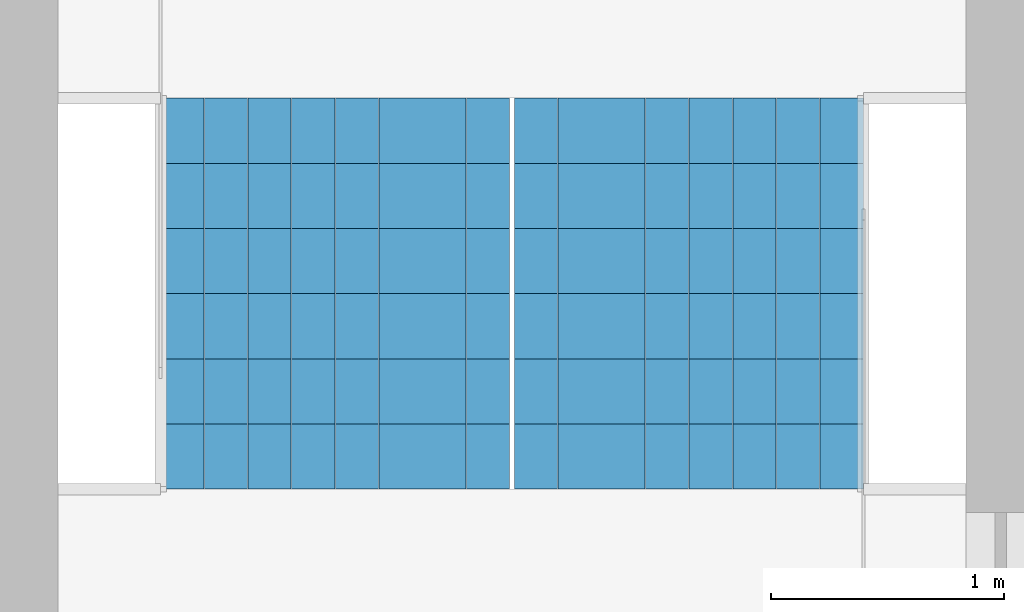
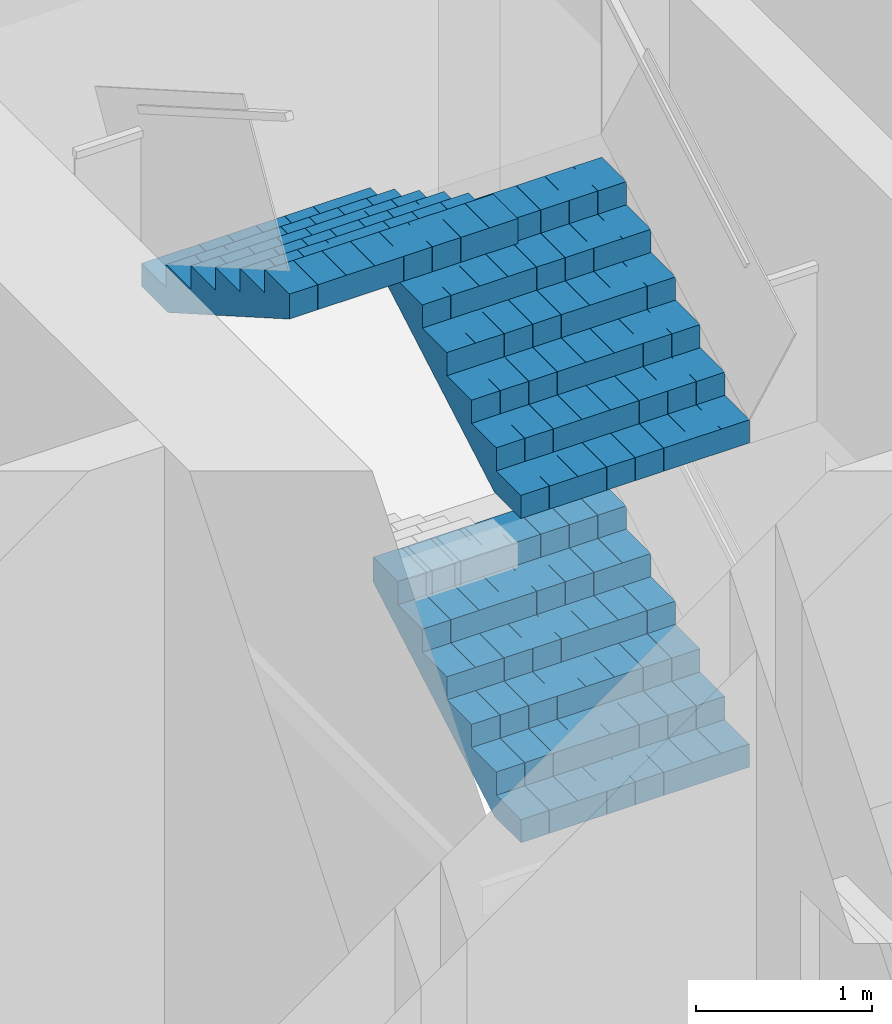
# One storey, part 21 of 23: 3 stair flights, 1 element without a shape of its own.
"""IFC4 building model written with IfcOpenShell, lengths in metres."""

from ifc_helpers import new_model, si_unit, direction, frame, origin, place, context, subcontext, project, spatial, polyline, outline, extrude, material, type_object, element, aggregate, save


model = new_model("IFC4")

# Units and contexts
model_context = context("Model", 3, precision=1e-05, world=origin(), true_north=direction((0.0, 1.0)))
body_context = subcontext(model_context, "Body", "Model", "MODEL_VIEW")
ifc_project = project(units=[si_unit("LENGTHUNIT", "METRE"), si_unit("AREAUNIT", "SQUARE_METRE"), si_unit("VOLUMEUNIT", "CUBIC_METRE"), si_unit("PLANEANGLEUNIT", "RADIAN"), si_unit("MASSUNIT", "GRAM", prefix="KILO")], contexts=[model_context])

# Site, building, storey
site_placement = place(None, origin())
site = spatial("IfcSite", under=ifc_project, at=site_placement, CompositionType="ELEMENT")
building_placement = place(site_placement, origin())
building = spatial("IfcBuilding", under=site, at=building_placement, Name="Kolab Exchange Tower", CompositionType="ELEMENT")
storey_placement = place(building_placement, frame((0.0, 0.0, 100.39990234375)))
storey = spatial("IfcBuildingStorey", under=building, at=storey_placement, Name="L19", CompositionType="ELEMENT", Elevation=100.39990234375)

# Stair, stair flights
ifc_material = material(Name="Concrete C50/60", Category="concrete")
stair_type = type_object("IfcStairType", Name="STAIR ST1 RISER 160.7", PredefinedType="DOUBLE_RETURN_STAIR", material=ifc_material)
stair_placement = place(storey_placement, origin())
stair = element("IfcStair", 1, at=stair_placement, inside=storey, type_object=stair_type, Name="Stair 1", PredefinedType="DOUBLE_RETURN_STAIR")
stair_flight_type = type_object("IfcStairFlightType", Name="STAIR FLIGHT 1500 RISER 160.7", PredefinedType="STRAIGHT", material=ifc_material)
stair_flight_1_placement = place(storey_placement, frame((-6.43994140625, 5.550048828125, 0.0), z_axis=(0.0, 0.0, 1.0), x_axis=(0.0, 1.0, 0.0)))
stair_flight_1 = element("IfcStairFlight", 2, at=stair_flight_1_placement, type_object=stair_flight_type, Name="ST1 flight 1", NumberOfRisers=7, NumberOfTreads=6, PredefinedType="STRAIGHT", RiserHeight=0.160714286, TreadLength=0.28, context=body_context, shape_type="SweptSolid", body=[
    extrude(outline(polyline([(0.0, 0.0), (0.0, 0.16064453125), (0.280029296875, 0.16064453125), (0.280029296875, 0.321533203125), (0.56005859375, 0.321533203125), (0.56005859375, 0.482177734375), (0.840087890625, 0.482177734375), (0.840087890625, 0.642822265625), (1.1201171875, 0.642822265625), (1.1201171875, 0.803466796875), (1.39990234375, 0.803466796875), (1.39990234375, 0.96435546875), (1.679931640625, 0.96435546875), (1.679931640625, 1.125), (1.679931640625, 0.79150390625), (0.301025390625, 0.0), (0.0, 0.0)])), frame((0.0, 0.75, 0.0), z_axis=(0.0, -1.0, 0.0), x_axis=(1.0, 0.0, 0.0)), (0.0, 0.0, 1.0), 0.185791015625),
    extrude(outline(polyline([(0.0, 0.0), (0.0, 0.16064453125), (0.280029296875, 0.16064453125), (0.280029296875, 0.321533203125), (0.56005859375, 0.321533203125), (0.56005859375, 0.482177734375), (0.840087890625, 0.482177734375), (0.840087890625, 0.642822265625), (1.1201171875, 0.642822265625), (1.1201171875, 0.803466796875), (1.39990234375, 0.803466796875), (1.39990234375, 0.96435546875), (1.679931640625, 0.96435546875), (1.679931640625, 1.125), (1.679931640625, 0.79150390625), (0.301025390625, 0.0), (0.0, 0.0)])), frame((0.0, 0.562255859375, 0.0), z_axis=(0.0, -1.0, 0.0), x_axis=(1.0, 0.0, 0.0)), (0.0, 0.0, 1.0), 0.185791015625),
    extrude(outline(polyline([(0.0, 0.0), (0.0, 0.16064453125), (0.280029296875, 0.16064453125), (0.280029296875, 0.321533203125), (0.56005859375, 0.321533203125), (0.56005859375, 0.482177734375), (0.840087890625, 0.482177734375), (0.840087890625, 0.642822265625), (1.1201171875, 0.642822265625), (1.1201171875, 0.803466796875), (1.39990234375, 0.803466796875), (1.39990234375, 0.96435546875), (1.679931640625, 0.96435546875), (1.679931640625, 1.125), (1.679931640625, 0.79150390625), (0.301025390625, 0.0), (0.0, 0.0)])), frame((0.0, 0.37451171875, 0.0), z_axis=(0.0, -1.0, 0.0), x_axis=(1.0, 0.0, 0.0)), (0.0, 0.0, 1.0), 0.185791015625),
    extrude(outline(polyline([(0.0, 0.0), (0.0, 0.16064453125), (0.280029296875, 0.16064453125), (0.280029296875, 0.321533203125), (0.56005859375, 0.321533203125), (0.56005859375, 0.482177734375), (0.840087890625, 0.482177734375), (0.840087890625, 0.642822265625), (1.1201171875, 0.642822265625), (1.1201171875, 0.803466796875), (1.39990234375, 0.803466796875), (1.39990234375, 0.96435546875), (1.679931640625, 0.96435546875), (1.679931640625, 1.125), (1.679931640625, 0.79150390625), (0.301025390625, 0.0), (0.0, 0.0)])), frame((0.0, 0.186767578125, 0.0), z_axis=(0.0, -1.0, 0.0), x_axis=(1.0, 0.0, 0.0)), (0.0, 0.0, 1.0), 0.185791015625),
    extrude(outline(polyline([(0.0, 0.0), (0.0, 0.16064453125), (0.280029296875, 0.16064453125), (0.280029296875, 0.321533203125), (0.56005859375, 0.321533203125), (0.56005859375, 0.482177734375), (0.840087890625, 0.482177734375), (0.840087890625, 0.642822265625), (1.1201171875, 0.642822265625), (1.1201171875, 0.803466796875), (1.39990234375, 0.803466796875), (1.39990234375, 0.96435546875), (1.679931640625, 0.96435546875), (1.679931640625, 1.125), (1.679931640625, 0.79150390625), (0.301025390625, 0.0), (0.0, 0.0)])), frame((0.0, -0.0009765625, 0.0), z_axis=(0.0, -1.0, 0.0), x_axis=(1.0, 0.0, 0.0)), (0.0, 0.0, 1.0), 0.185791015625),
    extrude(outline(polyline([(0.0, 0.0), (0.0, 0.16064453125), (0.280029296875, 0.16064453125), (0.280029296875, 0.321533203125), (0.56005859375, 0.321533203125), (0.56005859375, 0.482177734375), (0.840087890625, 0.482177734375), (0.840087890625, 0.642822265625), (1.1201171875, 0.642822265625), (1.1201171875, 0.803466796875), (1.39990234375, 0.803466796875), (1.39990234375, 0.96435546875), (1.679931640625, 0.96435546875), (1.679931640625, 1.125), (1.679931640625, 0.79150390625), (0.301025390625, 0.0), (0.0, 0.0)])), frame((0.0, -0.188720703125, 0.0), z_axis=(0.0, -1.0, 0.0), x_axis=(1.0, 0.0, 0.0)), (0.0, 0.0, 1.0), 0.185791015625),
    extrude(outline(polyline([(0.0, 0.0), (0.0, 0.16064453125), (0.280029296875, 0.16064453125), (0.280029296875, 0.321533203125), (0.56005859375, 0.321533203125), (0.56005859375, 0.482177734375), (0.840087890625, 0.482177734375), (0.840087890625, 0.642822265625), (1.1201171875, 0.642822265625), (1.1201171875, 0.803466796875), (1.39990234375, 0.803466796875), (1.39990234375, 0.96435546875), (1.679931640625, 0.96435546875), (1.679931640625, 1.125), (1.679931640625, 0.79150390625), (0.301025390625, 0.0), (0.0, 0.0)])), frame((0.0, -0.37646484375, 0.0), z_axis=(0.0, -1.0, 0.0), x_axis=(1.0, 0.0, 0.0)), (0.0, 0.0, 1.0), 0.185791015625),
    extrude(outline(polyline([(0.0, 0.0), (0.0, 0.16064453125), (0.280029296875, 0.16064453125), (0.280029296875, 0.321533203125), (0.56005859375, 0.321533203125), (0.56005859375, 0.482177734375), (0.840087890625, 0.482177734375), (0.840087890625, 0.642822265625), (1.1201171875, 0.642822265625), (1.1201171875, 0.803466796875), (1.39990234375, 0.803466796875), (1.39990234375, 0.96435546875), (1.679931640625, 0.96435546875), (1.679931640625, 1.125), (1.679931640625, 0.79150390625), (0.301025390625, 0.0), (0.0, 0.0)])), frame((0.0, -0.564208984375, 0.0), z_axis=(0.0, -1.0, 0.0), x_axis=(1.0, 0.0, 0.0)), (0.0, 0.0, 1.0), 0.185791015625),
])
stair_flight_2_placement = place(storey_placement, frame((-6.43994140625, 5.550048828125, 2.25), z_axis=(0.0, 0.0, 1.0), x_axis=(0.0, 1.0, 0.0)))
stair_flight_2 = element("IfcStairFlight", 3, at=stair_flight_2_placement, type_object=stair_flight_type, Name="ST1 flight 3", NumberOfRisers=7, NumberOfTreads=6, PredefinedType="STRAIGHT", RiserHeight=0.160714286, TreadLength=0.28, context=body_context, shape_type="SweptSolid", body=[
    extrude(outline(polyline([(0.0, 0.0), (0.0, 0.16064453125), (0.280029296875, 0.16064453125), (0.280029296875, 0.321533203125), (0.56005859375, 0.321533203125), (0.56005859375, 0.482177734375), (0.840087890625, 0.482177734375), (0.840087890625, 0.642822265625), (1.1201171875, 0.642822265625), (1.1201171875, 0.803466796875), (1.39990234375, 0.803466796875), (1.39990234375, 0.96435546875), (1.679931640625, 0.96435546875), (1.679931640625, 1.125), (1.679931640625, 0.79150390625), (0.301025390625, 0.0), (0.0, 0.0)])), frame((0.0, 0.75, 0.0), z_axis=(0.0, -1.0, 0.0), x_axis=(1.0, 0.0, 0.0)), (0.0, 0.0, 1.0), 0.185791015625),
    extrude(outline(polyline([(0.0, 0.0), (0.0, 0.16064453125), (0.280029296875, 0.16064453125), (0.280029296875, 0.321533203125), (0.56005859375, 0.321533203125), (0.56005859375, 0.482177734375), (0.840087890625, 0.482177734375), (0.840087890625, 0.642822265625), (1.1201171875, 0.642822265625), (1.1201171875, 0.803466796875), (1.39990234375, 0.803466796875), (1.39990234375, 0.96435546875), (1.679931640625, 0.96435546875), (1.679931640625, 1.125), (1.679931640625, 0.79150390625), (0.301025390625, 0.0), (0.0, 0.0)])), frame((0.0, 0.562255859375, 0.0), z_axis=(0.0, -1.0, 0.0), x_axis=(1.0, 0.0, 0.0)), (0.0, 0.0, 1.0), 0.185791015625),
    extrude(outline(polyline([(0.0, 0.0), (0.0, 0.16064453125), (0.280029296875, 0.16064453125), (0.280029296875, 0.321533203125), (0.56005859375, 0.321533203125), (0.56005859375, 0.482177734375), (0.840087890625, 0.482177734375), (0.840087890625, 0.642822265625), (1.1201171875, 0.642822265625), (1.1201171875, 0.803466796875), (1.39990234375, 0.803466796875), (1.39990234375, 0.96435546875), (1.679931640625, 0.96435546875), (1.679931640625, 1.125), (1.679931640625, 0.79150390625), (0.301025390625, 0.0), (0.0, 0.0)])), frame((0.0, 0.37451171875, 0.0), z_axis=(0.0, -1.0, 0.0), x_axis=(1.0, 0.0, 0.0)), (0.0, 0.0, 1.0), 0.185791015625),
    extrude(outline(polyline([(0.0, 0.0), (0.0, 0.16064453125), (0.280029296875, 0.16064453125), (0.280029296875, 0.321533203125), (0.56005859375, 0.321533203125), (0.56005859375, 0.482177734375), (0.840087890625, 0.482177734375), (0.840087890625, 0.642822265625), (1.1201171875, 0.642822265625), (1.1201171875, 0.803466796875), (1.39990234375, 0.803466796875), (1.39990234375, 0.96435546875), (1.679931640625, 0.96435546875), (1.679931640625, 1.125), (1.679931640625, 0.79150390625), (0.301025390625, 0.0), (0.0, 0.0)])), frame((0.0, 0.186767578125, 0.0), z_axis=(0.0, -1.0, 0.0), x_axis=(1.0, 0.0, 0.0)), (0.0, 0.0, 1.0), 0.185791015625),
    extrude(outline(polyline([(0.0, 0.0), (0.0, 0.16064453125), (0.280029296875, 0.16064453125), (0.280029296875, 0.321533203125), (0.56005859375, 0.321533203125), (0.56005859375, 0.482177734375), (0.840087890625, 0.482177734375), (0.840087890625, 0.642822265625), (1.1201171875, 0.642822265625), (1.1201171875, 0.803466796875), (1.39990234375, 0.803466796875), (1.39990234375, 0.96435546875), (1.679931640625, 0.96435546875), (1.679931640625, 1.125), (1.679931640625, 0.79150390625), (0.301025390625, 0.0), (0.0, 0.0)])), frame((0.0, -0.0009765625, 0.0), z_axis=(0.0, -1.0, 0.0), x_axis=(1.0, 0.0, 0.0)), (0.0, 0.0, 1.0), 0.185791015625),
    extrude(outline(polyline([(0.0, 0.0), (0.0, 0.16064453125), (0.280029296875, 0.16064453125), (0.280029296875, 0.321533203125), (0.56005859375, 0.321533203125), (0.56005859375, 0.482177734375), (0.840087890625, 0.482177734375), (0.840087890625, 0.642822265625), (1.1201171875, 0.642822265625), (1.1201171875, 0.803466796875), (1.39990234375, 0.803466796875), (1.39990234375, 0.96435546875), (1.679931640625, 0.96435546875), (1.679931640625, 1.125), (1.679931640625, 0.79150390625), (0.301025390625, 0.0), (0.0, 0.0)])), frame((0.0, -0.188720703125, 0.0), z_axis=(0.0, -1.0, 0.0), x_axis=(1.0, 0.0, 0.0)), (0.0, 0.0, 1.0), 0.185791015625),
    extrude(outline(polyline([(0.0, 0.0), (0.0, 0.16064453125), (0.280029296875, 0.16064453125), (0.280029296875, 0.321533203125), (0.56005859375, 0.321533203125), (0.56005859375, 0.482177734375), (0.840087890625, 0.482177734375), (0.840087890625, 0.642822265625), (1.1201171875, 0.642822265625), (1.1201171875, 0.803466796875), (1.39990234375, 0.803466796875), (1.39990234375, 0.96435546875), (1.679931640625, 0.96435546875), (1.679931640625, 1.125), (1.679931640625, 0.79150390625), (0.301025390625, 0.0), (0.0, 0.0)])), frame((0.0, -0.37646484375, 0.0), z_axis=(0.0, -1.0, 0.0), x_axis=(1.0, 0.0, 0.0)), (0.0, 0.0, 1.0), 0.185791015625),
    extrude(outline(polyline([(0.0, 0.0), (0.0, 0.16064453125), (0.280029296875, 0.16064453125), (0.280029296875, 0.321533203125), (0.56005859375, 0.321533203125), (0.56005859375, 0.482177734375), (0.840087890625, 0.482177734375), (0.840087890625, 0.642822265625), (1.1201171875, 0.642822265625), (1.1201171875, 0.803466796875), (1.39990234375, 0.803466796875), (1.39990234375, 0.96435546875), (1.679931640625, 0.96435546875), (1.679931640625, 1.125), (1.679931640625, 0.79150390625), (0.301025390625, 0.0), (0.0, 0.0)])), frame((0.0, -0.564208984375, 0.0), z_axis=(0.0, -1.0, 0.0), x_axis=(1.0, 0.0, 0.0)), (0.0, 0.0, 1.0), 0.185791015625),
])
stair_flight_3_placement = place(storey_placement, frame((-7.9599609375, 7.22998046875, 3.375), z_axis=(0.0, 0.0, 1.0), x_axis=(0.0, -1.0, 0.0)))
stair_flight_3 = element("IfcStairFlight", 4, at=stair_flight_3_placement, type_object=stair_flight_type, Name="ST1 flight 4", NumberOfRisers=7, NumberOfTreads=6, PredefinedType="STRAIGHT", RiserHeight=0.160714286, TreadLength=0.28, context=body_context, shape_type="SweptSolid", body=[
    extrude(outline(polyline([(0.0, 0.0), (0.0, 0.16064453125), (0.280029296875, 0.16064453125), (0.280029296875, 0.321533203125), (0.56005859375, 0.321533203125), (0.56005859375, 0.482177734375), (0.840087890625, 0.482177734375), (0.840087890625, 0.642822265625), (1.1201171875, 0.642822265625), (1.1201171875, 0.803466796875), (1.39990234375, 0.803466796875), (1.39990234375, 0.96435546875), (1.679931640625, 0.96435546875), (1.679931640625, 1.125), (1.679931640625, 0.79150390625), (0.301025390625, 0.0), (0.0, 0.0)])), frame((0.0, 0.75, 0.0), z_axis=(0.0, -1.0, 0.0), x_axis=(1.0, 0.0, 0.0)), (0.0, 0.0, 1.0), 0.185791015625),
    extrude(outline(polyline([(0.0, 0.0), (0.0, 0.16064453125), (0.280029296875, 0.16064453125), (0.280029296875, 0.321533203125), (0.56005859375, 0.321533203125), (0.56005859375, 0.482177734375), (0.840087890625, 0.482177734375), (0.840087890625, 0.642822265625), (1.1201171875, 0.642822265625), (1.1201171875, 0.803466796875), (1.39990234375, 0.803466796875), (1.39990234375, 0.96435546875), (1.679931640625, 0.96435546875), (1.679931640625, 1.125), (1.679931640625, 0.79150390625), (0.301025390625, 0.0), (0.0, 0.0)])), frame((0.0, 0.562255859375, 0.0), z_axis=(0.0, -1.0, 0.0), x_axis=(1.0, 0.0, 0.0)), (0.0, 0.0, 1.0), 0.185791015625),
    extrude(outline(polyline([(0.0, 0.0), (0.0, 0.16064453125), (0.280029296875, 0.16064453125), (0.280029296875, 0.321533203125), (0.56005859375, 0.321533203125), (0.56005859375, 0.482177734375), (0.840087890625, 0.482177734375), (0.840087890625, 0.642822265625), (1.1201171875, 0.642822265625), (1.1201171875, 0.803466796875), (1.39990234375, 0.803466796875), (1.39990234375, 0.96435546875), (1.679931640625, 0.96435546875), (1.679931640625, 1.125), (1.679931640625, 0.79150390625), (0.301025390625, 0.0), (0.0, 0.0)])), frame((0.0, 0.37451171875, 0.0), z_axis=(0.0, -1.0, 0.0), x_axis=(1.0, 0.0, 0.0)), (0.0, 0.0, 1.0), 0.185791015625),
    extrude(outline(polyline([(0.0, 0.0), (0.0, 0.16064453125), (0.280029296875, 0.16064453125), (0.280029296875, 0.321533203125), (0.56005859375, 0.321533203125), (0.56005859375, 0.482177734375), (0.840087890625, 0.482177734375), (0.840087890625, 0.642822265625), (1.1201171875, 0.642822265625), (1.1201171875, 0.803466796875), (1.39990234375, 0.803466796875), (1.39990234375, 0.96435546875), (1.679931640625, 0.96435546875), (1.679931640625, 1.125), (1.679931640625, 0.79150390625), (0.301025390625, 0.0), (0.0, 0.0)])), frame((0.0, 0.186767578125, 0.0), z_axis=(0.0, -1.0, 0.0), x_axis=(1.0, 0.0, 0.0)), (0.0, 0.0, 1.0), 0.185791015625),
    extrude(outline(polyline([(0.0, 0.0), (0.0, 0.16064453125), (0.280029296875, 0.16064453125), (0.280029296875, 0.321533203125), (0.56005859375, 0.321533203125), (0.56005859375, 0.482177734375), (0.840087890625, 0.482177734375), (0.840087890625, 0.642822265625), (1.1201171875, 0.642822265625), (1.1201171875, 0.803466796875), (1.39990234375, 0.803466796875), (1.39990234375, 0.96435546875), (1.679931640625, 0.96435546875), (1.679931640625, 1.125), (1.679931640625, 0.79150390625), (0.301025390625, 0.0), (0.0, 0.0)])), frame((0.0, -0.0009765625, 0.0), z_axis=(0.0, -1.0, 0.0), x_axis=(1.0, 0.0, 0.0)), (0.0, 0.0, 1.0), 0.185791015625),
    extrude(outline(polyline([(0.0, 0.0), (0.0, 0.16064453125), (0.280029296875, 0.16064453125), (0.280029296875, 0.321533203125), (0.56005859375, 0.321533203125), (0.56005859375, 0.482177734375), (0.840087890625, 0.482177734375), (0.840087890625, 0.642822265625), (1.1201171875, 0.642822265625), (1.1201171875, 0.803466796875), (1.39990234375, 0.803466796875), (1.39990234375, 0.96435546875), (1.679931640625, 0.96435546875), (1.679931640625, 1.125), (1.679931640625, 0.79150390625), (0.301025390625, 0.0), (0.0, 0.0)])), frame((0.0, -0.188720703125, 0.0), z_axis=(0.0, -1.0, 0.0), x_axis=(1.0, 0.0, 0.0)), (0.0, 0.0, 1.0), 0.185791015625),
    extrude(outline(polyline([(0.0, 0.0), (0.0, 0.16064453125), (0.280029296875, 0.16064453125), (0.280029296875, 0.321533203125), (0.56005859375, 0.321533203125), (0.56005859375, 0.482177734375), (0.840087890625, 0.482177734375), (0.840087890625, 0.642822265625), (1.1201171875, 0.642822265625), (1.1201171875, 0.803466796875), (1.39990234375, 0.803466796875), (1.39990234375, 0.96435546875), (1.679931640625, 0.96435546875), (1.679931640625, 1.125), (1.679931640625, 0.79150390625), (0.301025390625, 0.0), (0.0, 0.0)])), frame((0.0, -0.37646484375, 0.0), z_axis=(0.0, -1.0, 0.0), x_axis=(1.0, 0.0, 0.0)), (0.0, 0.0, 1.0), 0.185791015625),
    extrude(outline(polyline([(0.0, 0.0), (0.0, 0.16064453125), (0.280029296875, 0.16064453125), (0.280029296875, 0.321533203125), (0.56005859375, 0.321533203125), (0.56005859375, 0.482177734375), (0.840087890625, 0.482177734375), (0.840087890625, 0.642822265625), (1.1201171875, 0.642822265625), (1.1201171875, 0.803466796875), (1.39990234375, 0.803466796875), (1.39990234375, 0.96435546875), (1.679931640625, 0.96435546875), (1.679931640625, 1.125), (1.679931640625, 0.79150390625), (0.301025390625, 0.0), (0.0, 0.0)])), frame((0.0, -0.564208984375, 0.0), z_axis=(0.0, -1.0, 0.0), x_axis=(1.0, 0.0, 0.0)), (0.0, 0.0, 1.0), 0.185791015625),
])
aggregate(stair, [stair_flight_1, stair_flight_2, stair_flight_3])

save(model, "model.ifc")
